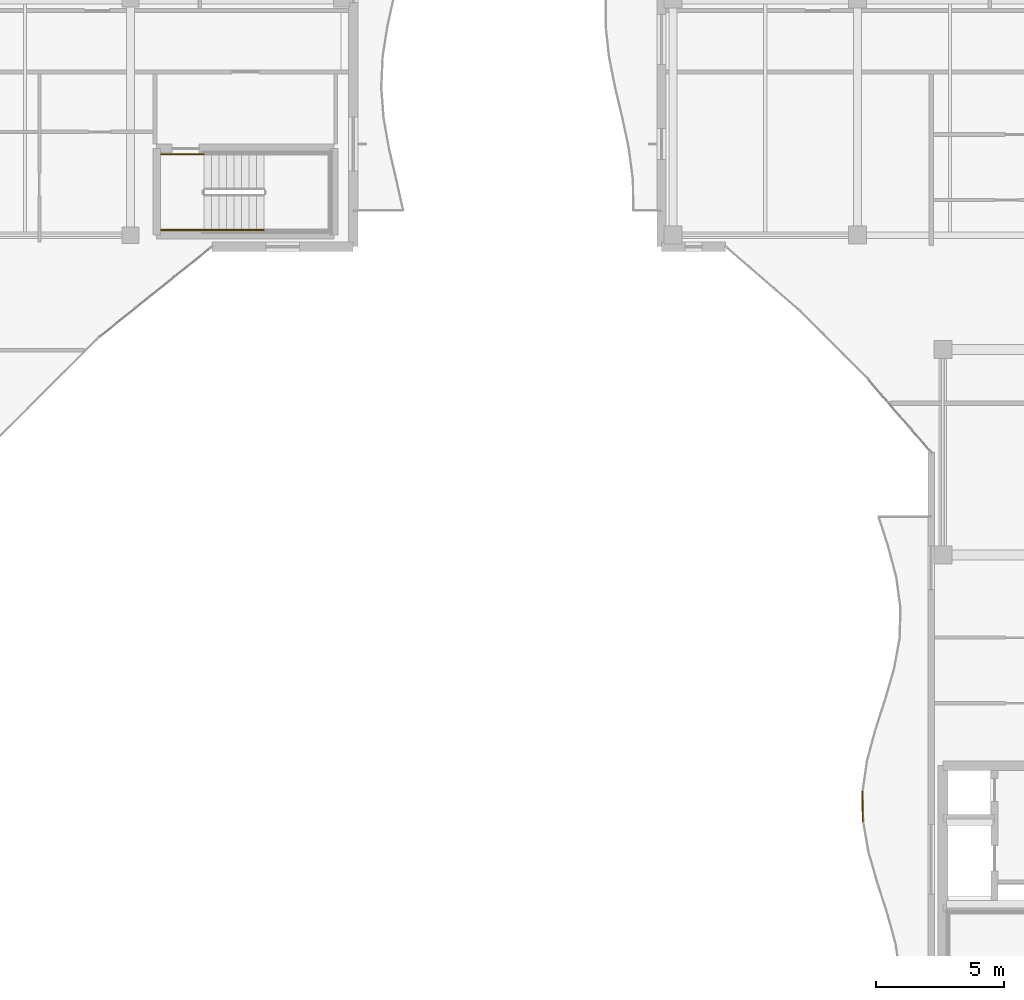
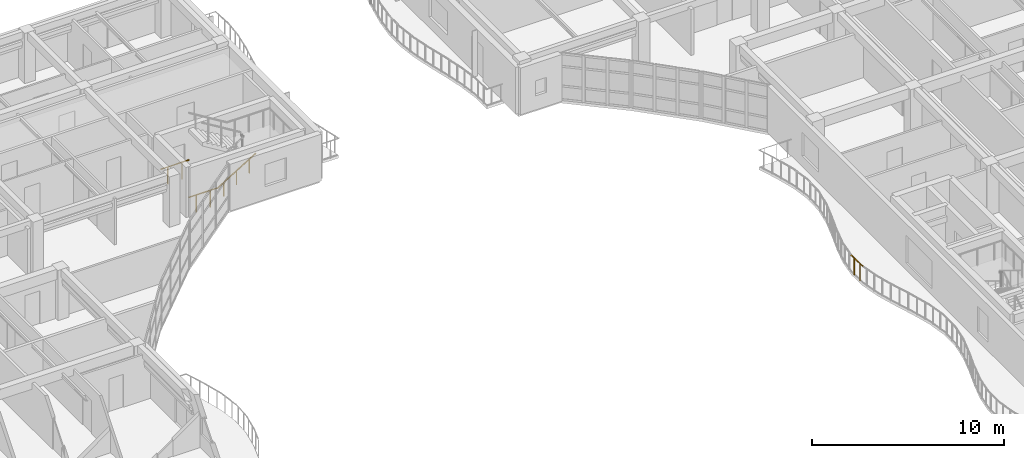
# One storey, part 77 of 89: 4 railings.
"""IFC4 building model written with IfcOpenShell, lengths in metres."""

from ifc_helpers import new_model, si_unit, direction, frame, origin, origin_2d, place, context, subcontext, project, spatial, circle, extrude, material, type_object, element, save


model = new_model("IFC4")

# Units and contexts
model_context = context("Model", 3, precision=1e-05, world=origin(), true_north=direction((0.0, 1.0)))
body_context = subcontext(model_context, "Body", "Model", "MODEL_VIEW")
ifc_project = project(units=[si_unit("LENGTHUNIT", "METRE"), si_unit("AREAUNIT", "SQUARE_METRE"), si_unit("VOLUMEUNIT", "CUBIC_METRE"), si_unit("PLANEANGLEUNIT", "RADIAN"), si_unit("MASSUNIT", "GRAM", prefix="KILO")], contexts=[model_context])

# Site, building, storey
site_placement = place(None, origin())
site = spatial("IfcSite", under=ifc_project, at=site_placement, CompositionType="ELEMENT")
building_placement = place(site_placement, origin())
building = spatial("IfcBuilding", under=site, at=building_placement, Name="Keldmere Railside Commons", CompositionType="ELEMENT")
storey_placement = place(building_placement, frame((0.0, 0.0, 7.360107421875)))
storey = spatial("IfcBuildingStorey", under=building, at=storey_placement, Name="L02", CompositionType="ELEMENT", Elevation=7.360107421875)

# Railings
ifc_material = material(Name="Steel F-24 (S235)", Category="steel")
railing_type_1 = type_object("IfcRailingType", Name="Balcony & Terrace Steel Balustrade 1100", PredefinedType="BALUSTRADE", material=ifc_material)
railing_1_placement = place(storey_placement, frame((101.337646484375, 77.611083984375, 0.0)))
element("IfcRailing", 1, at=railing_1_placement, inside=storey, type_object=railing_type_1, Name="GR-1 GRD-L02-2056", PredefinedType="BALUSTRADE", context=body_context, shape_type="SweptSolid", body=[
    extrude(circle(Radius=0.02392578125, at=origin_2d()), frame((0.0, 0.0, 1.076171875), z_axis=(-0.019093028167, 0.999817711523, 0.0), x_axis=(-0.999817711523, -0.019093028167, 0.0)), (0.0, 0.0, 1.0), 1.189208984375),
    extrude(circle(Radius=0.02099609375, at=origin_2d()), frame((-0.005615234375, 0.29736328125, 0.0)), (0.0, 0.0, 1.0), 1.048095703125),
    extrude(circle(Radius=0.02099609375, at=origin_2d()), frame((-0.01708984375, 0.8916015625, 0.0)), (0.0, 0.0, 1.0), 1.048095703125),
])
railing_type_2 = type_object("IfcRailingType", Name="Stair Well Steel Guardrail 1100", PredefinedType="BALUSTRADE", material=ifc_material)
for number, where, name in (
    (2, (74.0, 100.64990234375, 0.0), "L02 ST-C2 stair guard 8"),
    (3, (74.0, 103.60009765625, 0.0), "L02 ST-C2 stair guard 9"),
):
    element("IfcRailing", number, at=place(storey_placement, frame(where)), inside=storey, type_object=railing_type_2, Name=name, PredefinedType="BALUSTRADE", context=body_context, shape_type="SweptSolid", body=[
        extrude(circle(Radius=0.02392578125, at=origin_2d()), frame((0.0, 0.0, 1.076171875), z_axis=(1.0, 0.0, 0.0), x_axis=(0.0, 1.0, 0.0)), (0.0, 0.0, 1.0), 1.699951171875),
        extrude(circle(Radius=0.02099609375, at=origin_2d()), frame((0.425048828125, 0.0, 0.0)), (0.0, 0.0, 1.0), 1.048095703125),
        extrude(circle(Radius=0.02099609375, at=origin_2d()), frame((1.27490234375, 0.0, 0.0)), (0.0, 0.0, 1.0), 1.048095703125),
    ])
railing_type_3 = type_object("IfcRailingType", Name="Wall-Mounted Tubular Steel Handrail 900", PredefinedType="HANDRAIL", material=ifc_material)
railing_2_placement = place(storey_placement, frame((75.699951171875, 100.64990234375, 0.177734375)))
element("IfcRailing", 4, at=railing_2_placement, inside=storey, type_object=railing_type_3, Name="L02 ST-C2 stair handrail 1", PredefinedType="HANDRAIL", context=body_context, shape_type="SweptSolid", body=[
    extrude(circle(Radius=0.02392578125, at=origin_2d()), frame((0.0, 0.0, 0.8759765625), z_axis=(0.852578041948, 0.0, 0.522599925744), x_axis=(0.0, 1.0, 0.0)), (0.0, 0.0, 1.0), 2.72119140625),
    extrude(circle(Radius=0.02099609375, at=origin_2d()), frame((0.38671875, 0.0, 0.237060546875)), (0.0, 0.0, 1.0), 0.847900390625),
    extrude(circle(Radius=0.02099609375, at=origin_2d()), frame((1.16015625, 0.0, 0.7109375)), (0.0, 0.0, 1.0), 0.847900390625),
    extrude(circle(Radius=0.02099609375, at=origin_2d()), frame((1.933349609375, 0.0, 1.18505859375)), (0.0, 0.0, 1.0), 0.847900390625),
])

save(model, "model.ifc")
